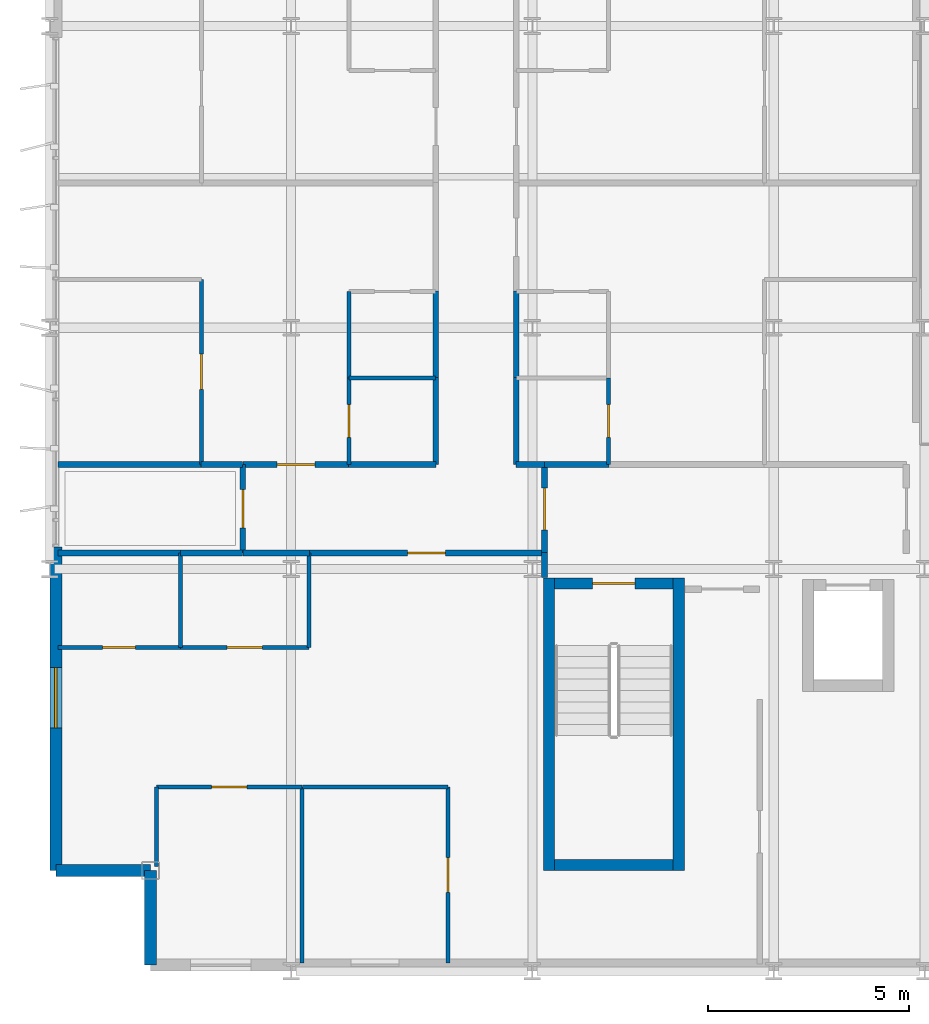
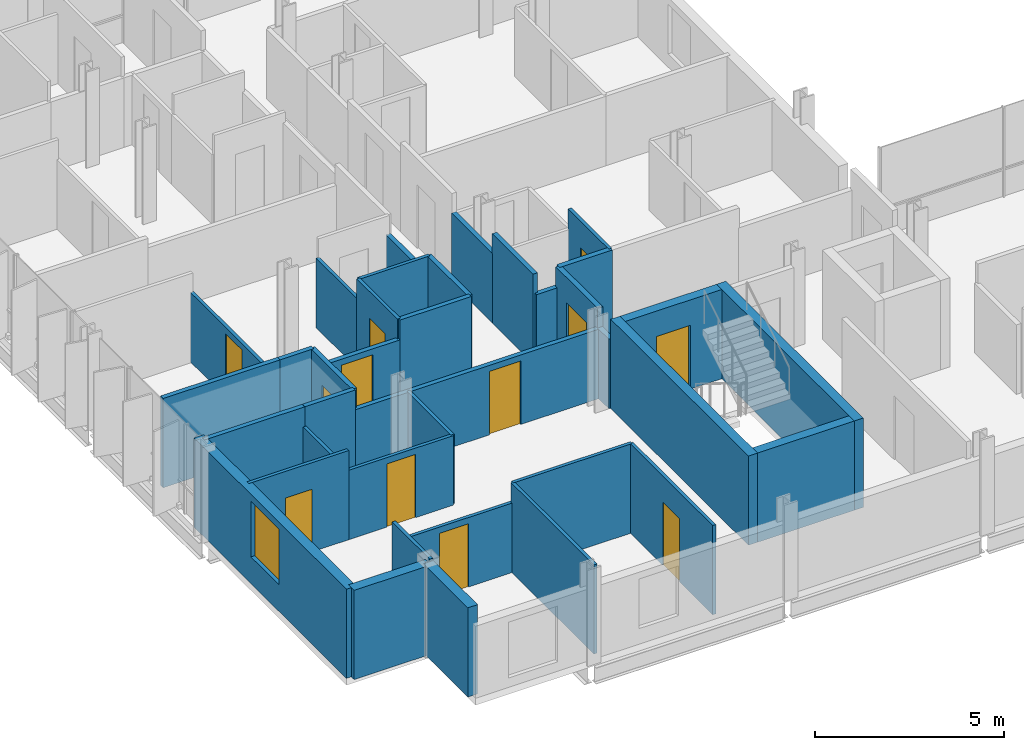
# One storey, part 27 of 39: 38 walls, 12 doors, 1 window, 13 openings.
"""IFC4 building model written with IfcOpenShell, lengths in metres."""

from ifc_helpers import new_model, si_unit, direction, frame, frame_2d, origin, place, context, subcontext, project, spatial, rectangle, extrude, material, layer, layer_set, type_object, element, fill, save


model = new_model("IFC4")

# Units and contexts
model_context = context("Model", 3, precision=1e-05, world=origin(), true_north=direction((0.0, 1.0)))
body_context = subcontext(model_context, "Body", "Model", "MODEL_VIEW")
ifc_project = project(units=[si_unit("LENGTHUNIT", "METRE"), si_unit("AREAUNIT", "SQUARE_METRE"), si_unit("VOLUMEUNIT", "CUBIC_METRE"), si_unit("PLANEANGLEUNIT", "RADIAN"), si_unit("MASSUNIT", "GRAM", prefix="KILO")], contexts=[model_context])

# Site, building, storey
site_placement = place(None, origin())
site = spatial("IfcSite", under=ifc_project, at=site_placement, CompositionType="ELEMENT")
building_placement = place(site_placement, origin())
building = spatial("IfcBuilding", under=site, at=building_placement, Name="Brevholm Reach", CompositionType="ELEMENT")
storey_placement = place(building_placement, frame((0.0, 0.0, 115.89990234375)))
storey = spatial("IfcBuildingStorey", under=building, at=storey_placement, Name="L34", CompositionType="ELEMENT", Elevation=115.89990234375)

# Walls
ifc_material_1 = material(Name="Concrete C50/60", Category="concrete")
ifc_layer_1 = layer(ifc_material_1, 0.280029296875)
ifc_layer_set_1 = layer_set([ifc_layer_1], Name="Concrete C50/60")
wall_type_1 = type_object("IfcWallType", Name="WAL-COR-280", PredefinedType="SHEAR", material=ifc_layer_set_1)
for number, where, z_axis, x_axis, name in (
    (1, (12.409912109375, 2.5, 0.0), (0.0, 0.0, 1.0), (0.0, 1.0, 0.0), "L34 Escape Stair ST-1 Core Wall W"),
    (2, (15.639892578125, 2.5, 0.0), (0.0, 0.0, 1.0), (0.0, 1.0, 0.0), "L34 Escape Stair ST-1 Core Wall E"),
):
    element("IfcWall", number, at=place(storey_placement, frame(where, z_axis=z_axis, x_axis=x_axis)), inside=storey, type_object=wall_type_1, Name=name, PredefinedType="SHEAR", context=body_context, shape_type="SweptSolid", body=[
        extrude(rectangle(XDim=7.280029296875, YDim=0.280029296875, at=frame_2d((3.64013671875, 0.0))), origin(), (0.0, 0.0, 1.0), 2.880126953125),
    ])
wall_1_placement = place(storey_placement, frame((12.550048828125, 2.639892578125, 0.0), z_axis=(0.0, 0.0, 1.0), x_axis=(1.0, 0.0, 0.0)))
element("IfcWall", 3, at=wall_1_placement, inside=storey, type_object=wall_type_1, Name="L34 Escape Stair ST-1 Core Wall S", PredefinedType="SHEAR", context=body_context, shape_type="SweptSolid", body=[
    extrude(rectangle(XDim=2.949951171875, YDim=0.280029296875, at=frame_2d((1.47509765625, 0.0))), origin(), (0.0, 0.0, 1.0), 2.880126953125),
])

# Wall, opening, door
wall_2_placement = place(storey_placement, frame((15.5, 9.639892578125, 0.0), z_axis=(0.0, 0.0, 1.0), x_axis=(-1.0, 0.0, 0.0)))
wall_2 = element("IfcWall", 4, at=wall_2_placement, inside=storey, type_object=wall_type_1, Name="L34 Escape Stair ST-1 Core Wall N", PredefinedType="SHEAR", context=body_context, shape_type="SweptSolid", body=[
    extrude(rectangle(XDim=2.949951171875, YDim=0.280029296875, at=frame_2d((1.47509765625, 0.0))), origin(), (0.0, 0.0, 1.0), 2.880126953125),
])
opening_1_placement = place(wall_2_placement, frame((0.949951171875, 0.0, 0.0)))
opening_1 = element("IfcOpeningElement", 5, at=opening_1_placement, cuts=wall_2, Name="Opening SD-ST-1", PredefinedType="OPENING", context=body_context, shape_type="SweptSolid", body=[
    extrude(rectangle(XDim=1.050048828125, YDim=2.06005859375, at=frame_2d((0.52490234375, 1.030029296875))), frame((0.0, 0.14990234375, 0.0), z_axis=(0.0, -1.0, 0.0), x_axis=(1.0, 0.0, 0.0)), (0.0, 0.0, 1.0), 0.300048828125),
])
ifc_material_2 = material(Name="Hardwood-Lipped Steel-Core Fire and Smoke Door", Category="steel")
door_type_1 = type_object("IfcDoorType", Name="DOR-INT-FD60S", OperationType="NOTDEFINED", PredefinedType="DOOR", material=ifc_material_2)
door_1_placement = place(opening_1_placement, origin())
door_1 = element("IfcDoor", 6, at=door_1_placement, inside=storey, type_object=door_type_1, Name="L34 Protected Stair ST-1 Lobby Door", OperationType="SINGLE_SWING_RIGHT", OverallHeight=2.06005859375, OverallWidth=1.050048828125, PredefinedType="DOOR", context=body_context, shape_type="SweptSolid", body=[
    extrude(rectangle(XDim=1.050048828125, YDim=2.06005859375, at=frame_2d((0.52490234375, 1.030029296875))), frame((0.0, 0.02490234375, 0.0), z_axis=(0.0, -1.0, 0.0), x_axis=(1.0, 0.0, 0.0)), (0.0, 0.0, 1.0), 0.050048828125),
])
fill(opening_1, door_1)

# Walls
ifc_material_3 = material(Name="Concrete C40/50", Category="concrete")
ifc_layer_2 = layer(ifc_material_3, 0.300048828125)
ifc_layer_set_2 = layer_set([ifc_layer_2], Name="Concrete C40/50")
wall_type_2 = type_object("IfcWallType", Name="WAL-EXT-300", PredefinedType="STANDARD", material=ifc_layer_set_2)
for number, where, z_axis, x_axis, name in (
    (7, (2.5, 2.5, 0.0), (0.0, 0.0, 1.0), (0.0, -1.0, 0.0), "L34 Facade Wall WAL-L34-CSW1"),
    (8, (0.14990234375, 2.5, 0.0), (0.0, 0.0, 1.0), (1.0, 0.0, 0.0), "L34 Facade Wall WAL-L34-CSW2"),
):
    element("IfcWall", number, at=place(storey_placement, frame(where, z_axis=z_axis, x_axis=x_axis)), inside=storey, type_object=wall_type_2, Name=name, PredefinedType="STANDARD", context=body_context, shape_type="SweptSolid", body=[
        extrude(rectangle(XDim=2.35009765625, YDim=0.300048828125, at=frame_2d((1.175048828125, 0.0))), origin(), (0.0, 0.0, 1.0), 2.880126953125),
    ])

# Wall, opening, window
wall_3_placement = place(storey_placement, frame((0.14990234375, 10.550048828125, 0.0), z_axis=(0.0, 0.0, 1.0), x_axis=(0.0, -1.0, 0.0)))
wall_3 = element("IfcWall", 9, at=wall_3_placement, inside=storey, type_object=wall_type_2, Name="L34 Facade Wall WAL-L34-W-S", PredefinedType="STANDARD", context=body_context, shape_type="SweptSolid", body=[
    extrude(rectangle(XDim=8.050048828125, YDim=0.300048828125, at=frame_2d((4.02490234375, 0.0))), origin(), (0.0, 0.0, 1.0), 2.880126953125),
])
opening_2_placement = place(wall_3_placement, frame((3.0, 0.0, 0.860107421875)))
opening_2 = element("IfcOpeningElement", 10, at=opening_2_placement, cuts=wall_3, Name="Opening WN-05", PredefinedType="OPENING", context=body_context, shape_type="SweptSolid", body=[
    extrude(rectangle(XDim=1.5, YDim=1.800048828125, at=frame_2d((0.75, 0.89990234375))), frame((0.0, 0.159912109375, 0.0), z_axis=(0.0, -1.0, 0.0), x_axis=(1.0, 0.0, 0.0)), (0.0, 0.0, 1.0), 0.320068359375),
])
ifc_material_4 = material(Name="Dark Anodised Aluminium and Solar-Control IGU Glass", Category="aluminium")
window_type = type_object("IfcWindowType", Name="WIN-RES-1500", PartitioningType="SINGLE_PANEL", PredefinedType="WINDOW", material=ifc_material_4)
window_placement = place(opening_2_placement, origin())
window = element("IfcWindow", 11, at=window_placement, inside=storey, type_object=window_type, Name="L34 Window WIN-L34-WS-1", OverallHeight=1.800048828125, OverallWidth=1.5, PartitioningType="SINGLE_PANEL", PredefinedType="WINDOW", context=body_context, shape_type="SweptSolid", body=[
    extrude(rectangle(XDim=1.5, YDim=1.800048828125, at=frame_2d((0.75, 0.89990234375))), frame((0.0, 0.030029296875, 0.0), z_axis=(0.0, -1.0, 0.0), x_axis=(1.0, 0.0, 0.0)), (0.0, 0.0, 1.0), 0.06005859375),
])
fill(opening_2, window)

# Wall
ifc_material_5 = material(Name="Moisture-Resistant Acoustic Gypsum Stud Partition 100 mm", Category="gypsum")
ifc_layer_3 = layer(ifc_material_5, 0.10009765625)
ifc_layer_set_3 = layer_set([ifc_layer_3], Name="Moisture-Resistant Acoustic Gypsum Stud Partition 100 mm")
wall_type_3 = type_object("IfcWallType", Name="WAL-PRT-100", PredefinedType="PARTITIONING", material=ifc_layer_set_3)
wall_4_placement = place(storey_placement, frame((3.25, 8.053955078125, 0.0), z_axis=(0.0, 0.0, 1.0), x_axis=(0.0, 1.0, 0.0)))
element("IfcWall", 12, at=wall_4_placement, inside=storey, type_object=wall_type_3, Name="L34 Internal Partition 062", PredefinedType="PARTITIONING", context=body_context, shape_type="SweptSolid", body=[
    extrude(rectangle(XDim=2.345947265625, YDim=0.10009765625, at=frame_2d((1.1728515625, 0.0))), origin(), (0.0, 0.0, 1.0), 2.242919921875),
])

# Wall, opening, door
wall_5_placement = place(storey_placement, frame((0.199951171875, 8.053955078125, 0.0), z_axis=(0.0, 0.0, 1.0), x_axis=(1.0, 0.0, 0.0)))
wall_5 = element("IfcWall", 13, at=wall_5_placement, inside=storey, type_object=wall_type_3, Name="L34 Internal Partition 063", PredefinedType="PARTITIONING", context=body_context, shape_type="SweptSolid", body=[
    extrude(rectangle(XDim=3.050048828125, YDim=0.10009765625, at=frame_2d((1.52490234375, 0.0))), origin(), (0.0, 0.0, 1.0), 2.880126953125),
])
opening_3_placement = place(wall_5_placement, frame((1.114990234375, 0.0, 0.0)))
opening_3 = element("IfcOpeningElement", 14, at=opening_3_placement, cuts=wall_5, Name="Opening ID-03", PredefinedType="OPENING", context=body_context, shape_type="SweptSolid", body=[
    extrude(rectangle(XDim=0.820068359375, YDim=2.02001953125, at=frame_2d((0.41015625, 1.010009765625))), frame((0.0, 0.06005859375, 0.0), z_axis=(0.0, -1.0, 0.0), x_axis=(1.0, 0.0, 0.0)), (0.0, 0.0, 1.0), 0.1201171875),
])
ifc_material_6 = material(Name="Moisture-Resistant Painted Timber Internal Bathroom Door", Category="wood")
door_type_2 = type_object("IfcDoorType", Name="DOR-BATH-820", OperationType="NOTDEFINED", PredefinedType="DOOR", material=ifc_material_6)
door_2_placement = place(opening_3_placement, origin())
door_2 = element("IfcDoor", 15, at=door_2_placement, inside=storey, type_object=door_type_2, Name="L34 Internal Door 024", OperationType="SINGLE_SWING_RIGHT", OverallHeight=2.02001953125, OverallWidth=0.820068359375, PredefinedType="DOOR", context=body_context, shape_type="SweptSolid", body=[
    extrude(rectangle(XDim=0.820068359375, YDim=2.02001953125, at=frame_2d((0.41015625, 1.010009765625))), frame((0.0, 0.02490234375, 0.0), z_axis=(0.0, -1.0, 0.0), x_axis=(1.0, 0.0, 0.0)), (0.0, 0.0, 1.0), 0.050048828125),
])
fill(opening_3, door_2)

wall_6_placement = place(storey_placement, frame((3.25390625, 8.053955078125, 0.0), z_axis=(0.0, 0.0, 1.0), x_axis=(1.0, 0.0, 0.0)))
wall_6 = element("IfcWall", 16, at=wall_6_placement, inside=storey, type_object=wall_type_3, Name="L34 Internal Partition 065", PredefinedType="PARTITIONING", context=body_context, shape_type="SweptSolid", body=[
    extrude(rectangle(XDim=3.196044921875, YDim=0.10009765625, at=frame_2d((1.59814453125, 0.0))), origin(), (0.0, 0.0, 1.0), 2.242919921875),
])
opening_4_placement = place(wall_6_placement, frame((1.157958984375, 0.0, 0.0)))
opening_4 = element("IfcOpeningElement", 17, at=opening_4_placement, cuts=wall_6, Name="Opening ID-01", PredefinedType="OPENING", context=body_context, shape_type="SweptSolid", body=[
    extrude(rectangle(XDim=0.8798828125, YDim=2.0400390625, at=frame_2d((0.43994140625, 1.02001953125))), frame((0.0, 0.06005859375, 0.0), z_axis=(0.0, -1.0, 0.0), x_axis=(1.0, 0.0, 0.0)), (0.0, 0.0, 1.0), 0.1201171875),
])
ifc_material_7 = material(Name="Lacquered Ash Solid-Core Acoustic Internal Door", Category="timber")
door_type_3 = type_object("IfcDoorType", Name="DOR-INT-880", OperationType="NOTDEFINED", PredefinedType="DOOR", material=ifc_material_7)
door_3_placement = place(opening_4_placement, origin())
door_3 = element("IfcDoor", 18, at=door_3_placement, inside=storey, type_object=door_type_3, Name="L34 Internal Door 025", OperationType="SINGLE_SWING_LEFT", OverallHeight=2.0400390625, OverallWidth=0.8798828125, PredefinedType="DOOR", context=body_context, shape_type="SweptSolid", body=[
    extrude(rectangle(XDim=0.8798828125, YDim=2.0400390625, at=frame_2d((0.43994140625, 1.02001953125))), frame((0.0, 0.02490234375, 0.0), z_axis=(0.0, -1.0, 0.0), x_axis=(1.0, 0.0, 0.0)), (0.0, 0.0, 1.0), 0.050048828125),
])
fill(opening_4, door_3)

# Walls
wall_7_placement = place(storey_placement, frame((6.449951171875, 8.053955078125, 0.0), z_axis=(0.0, 0.0, 1.0), x_axis=(0.0, 1.0, 0.0)))
element("IfcWall", 19, at=wall_7_placement, inside=storey, type_object=wall_type_3, Name="L34 Internal Partition 066", PredefinedType="PARTITIONING", context=body_context, shape_type="SweptSolid", body=[
    extrude(rectangle(XDim=2.342041015625, YDim=0.10009765625, at=frame_2d((1.1708984375, 0.0))), origin(), (0.0, 0.0, 1.0), 2.242919921875),
])
wall_8_placement = place(storey_placement, frame((6.27490234375, 0.199951171875, 0.0), z_axis=(0.0, 0.0, 1.0), x_axis=(0.0, 1.0, 0.0)))
element("IfcWall", 20, at=wall_8_placement, inside=storey, type_object=wall_type_3, Name="L34 Internal Partition 068", PredefinedType="PARTITIONING", context=body_context, shape_type="SweptSolid", body=[
    extrude(rectangle(XDim=4.385986328125, YDim=0.10009765625, at=frame_2d((2.19287109375, 0.0))), origin(), (0.0, 0.0, 1.0), 2.880126953125),
])
wall_9_placement = place(storey_placement, frame((2.64990234375, 2.599365234375, 0.0), z_axis=(0.0, 0.0, 1.0), x_axis=(0.0, 1.0, 0.0)))
element("IfcWall", 21, at=wall_9_placement, inside=storey, type_object=wall_type_3, Name="L34 Internal Partition 069", PredefinedType="PARTITIONING", context=body_context, shape_type="SweptSolid", body=[
    extrude(rectangle(XDim=1.986572265625, YDim=0.10009765625, at=frame_2d((0.9931640625, 0.0))), origin(), (0.0, 0.0, 1.0), 2.880126953125),
])

# Wall, opening, door
wall_10_placement = place(storey_placement, frame((2.64990234375, 4.5859375, 0.0), z_axis=(0.0, 0.0, 1.0), x_axis=(1.0, 0.0, 0.0)))
wall_10 = element("IfcWall", 22, at=wall_10_placement, inside=storey, type_object=wall_type_3, Name="L34 Internal Partition 070", PredefinedType="PARTITIONING", context=body_context, shape_type="SweptSolid", body=[
    extrude(rectangle(XDim=3.625, YDim=0.10009765625, at=frame_2d((1.8125, 0.0))), origin(), (0.0, 0.0, 1.0), 2.242919921875),
])
opening_5_placement = place(wall_10_placement, frame((1.37255859375, 0.0, 0.0)))
opening_5 = element("IfcOpeningElement", 23, at=opening_5_placement, cuts=wall_10, Name="Opening ID-01", PredefinedType="OPENING", context=body_context, shape_type="SweptSolid", body=[
    extrude(rectangle(XDim=0.8798828125, YDim=2.0400390625, at=frame_2d((0.43994140625, 1.02001953125))), frame((0.0, 0.06005859375, 0.0), z_axis=(0.0, -1.0, 0.0), x_axis=(1.0, 0.0, 0.0)), (0.0, 0.0, 1.0), 0.1201171875),
])
door_4_placement = place(opening_5_placement, origin())
door_4 = element("IfcDoor", 24, at=door_4_placement, inside=storey, type_object=door_type_3, Name="L34 Internal Door 026", OperationType="SINGLE_SWING_RIGHT", OverallHeight=2.0400390625, OverallWidth=0.8798828125, PredefinedType="DOOR", context=body_context, shape_type="SweptSolid", body=[
    extrude(rectangle(XDim=0.8798828125, YDim=2.0400390625, at=frame_2d((0.43994140625, 1.02001953125))), frame((0.0, 0.02490234375, 0.0), z_axis=(0.0, -1.0, 0.0), x_axis=(1.0, 0.0, 0.0)), (0.0, 0.0, 1.0), 0.050048828125),
])
fill(opening_5, door_4)

wall_11_placement = place(storey_placement, frame((9.89990234375, 0.199951171875, 0.0), z_axis=(0.0, 0.0, 1.0), x_axis=(0.0, 1.0, 0.0)))
wall_11 = element("IfcWall", 25, at=wall_11_placement, inside=storey, type_object=wall_type_3, Name="L34 Internal Partition 071", PredefinedType="PARTITIONING", context=body_context, shape_type="SweptSolid", body=[
    extrude(rectangle(XDim=4.385986328125, YDim=0.10009765625, at=frame_2d((2.19287109375, 0.0))), origin(), (0.0, 0.0, 1.0), 2.880126953125),
])
opening_6_placement = place(wall_11_placement, frame((1.7529296875, 0.0, 0.0)))
opening_6 = element("IfcOpeningElement", 26, at=opening_6_placement, cuts=wall_11, Name="Opening ID-01", PredefinedType="OPENING", context=body_context, shape_type="SweptSolid", body=[
    extrude(rectangle(XDim=0.8798828125, YDim=2.0400390625, at=frame_2d((0.43994140625, 1.02001953125))), frame((0.0, 0.06005859375, 0.0), z_axis=(0.0, -1.0, 0.0), x_axis=(1.0, 0.0, 0.0)), (0.0, 0.0, 1.0), 0.1201171875),
])
door_5_placement = place(opening_6_placement, origin())
door_5 = element("IfcDoor", 27, at=door_5_placement, inside=storey, type_object=door_type_3, Name="L34 Internal Door 027", OperationType="SINGLE_SWING_LEFT", OverallHeight=2.0400390625, OverallWidth=0.8798828125, PredefinedType="DOOR", context=body_context, shape_type="SweptSolid", body=[
    extrude(rectangle(XDim=0.8798828125, YDim=2.0400390625, at=frame_2d((0.43994140625, 1.02001953125))), frame((0.0, 0.02490234375, 0.0), z_axis=(0.0, -1.0, 0.0), x_axis=(1.0, 0.0, 0.0)), (0.0, 0.0, 1.0), 0.050048828125),
])
fill(opening_6, door_5)

# Walls
wall_12_placement = place(storey_placement, frame((6.279052734375, 4.5859375, 0.0), z_axis=(0.0, 0.0, 1.0), x_axis=(1.0, 0.0, 0.0)))
element("IfcWall", 28, at=wall_12_placement, inside=storey, type_object=wall_type_3, Name="L34 Internal Partition 072", PredefinedType="PARTITIONING", context=body_context, shape_type="SweptSolid", body=[
    extrude(rectangle(XDim=3.620849609375, YDim=0.10009765625, at=frame_2d((1.810546875, 0.0))), origin(), (0.0, 0.0, 1.0), 2.880126953125),
])
wall_13_placement = place(storey_placement, frame((7.43798828125, 14.75, 0.0), z_axis=(0.0, 0.0, 1.0), x_axis=(1.0, 0.0, 0.0)))
element("IfcWall", 29, at=wall_13_placement, inside=storey, type_object=wall_type_3, Name="L34 Internal Partition 087", PredefinedType="PARTITIONING", context=body_context, shape_type="SweptSolid", body=[
    extrude(rectangle(XDim=2.157958984375, YDim=0.10009765625, at=frame_2d((1.0791015625, 0.0))), origin(), (0.0, 0.0, 1.0), 2.880126953125),
])

# Wall, opening, door
wall_14_placement = place(storey_placement, frame((7.43798828125, 12.60400390625, 0.0), z_axis=(0.0, 0.0, 1.0), x_axis=(0.0, 1.0, 0.0)))
wall_14 = element("IfcWall", 30, at=wall_14_placement, inside=storey, type_object=wall_type_3, Name="L34 Internal Partition 088", PredefinedType="PARTITIONING", context=body_context, shape_type="SweptSolid", body=[
    extrude(rectangle(XDim=2.14599609375, YDim=0.10009765625, at=frame_2d((1.072998046875, 0.0))), origin(), (0.0, 0.0, 1.0), 2.880126953125),
])
opening_7_placement = place(wall_14_placement, frame((0.6630859375, 0.0, 0.0)))
opening_7 = element("IfcOpeningElement", 31, at=opening_7_placement, cuts=wall_14, Name="Opening ID-03", PredefinedType="OPENING", context=body_context, shape_type="SweptSolid", body=[
    extrude(rectangle(XDim=0.820068359375, YDim=2.02001953125, at=frame_2d((0.41015625, 1.010009765625))), frame((0.0, 0.06005859375, 0.0), z_axis=(0.0, -1.0, 0.0), x_axis=(1.0, 0.0, 0.0)), (0.0, 0.0, 1.0), 0.1201171875),
])
door_6_placement = place(opening_7_placement, origin())
door_6 = element("IfcDoor", 32, at=door_6_placement, inside=storey, type_object=door_type_2, Name="L34 Internal Door 032", OperationType="SINGLE_SWING_RIGHT", OverallHeight=2.02001953125, OverallWidth=0.820068359375, PredefinedType="DOOR", context=body_context, shape_type="SweptSolid", body=[
    extrude(rectangle(XDim=0.820068359375, YDim=2.02001953125, at=frame_2d((0.41015625, 1.010009765625))), frame((0.0, 0.02490234375, 0.0), z_axis=(0.0, -1.0, 0.0), x_axis=(1.0, 0.0, 0.0)), (0.0, 0.0, 1.0), 0.050048828125),
])
fill(opening_7, door_6)

# Wall
wall_15_placement = place(storey_placement, frame((7.43798828125, 14.75390625, 0.0), z_axis=(0.0, 0.0, 1.0), x_axis=(0.0, 1.0, 0.0)))
element("IfcWall", 33, at=wall_15_placement, inside=storey, type_object=wall_type_3, Name="L34 Internal Partition 090", PredefinedType="PARTITIONING", context=body_context, shape_type="SweptSolid", body=[
    extrude(rectangle(XDim=2.14599609375, YDim=0.10009765625, at=frame_2d((1.072998046875, 0.0))), origin(), (0.0, 0.0, 1.0), 2.242919921875),
])

# Wall, opening, door
wall_16_placement = place(storey_placement, frame((3.77197265625, 12.60400390625, 0.0), z_axis=(0.0, 0.0, 1.0), x_axis=(0.0, 1.0, 0.0)))
wall_16 = element("IfcWall", 34, at=wall_16_placement, inside=storey, type_object=wall_type_3, Name="L34 Internal Partition 091", PredefinedType="PARTITIONING", context=body_context, shape_type="SweptSolid", body=[
    extrude(rectangle(XDim=4.595947265625, YDim=0.10009765625, at=frame_2d((2.2978515625, 0.0))), origin(), (0.0, 0.0, 1.0), 2.242919921875),
])
opening_8_placement = place(wall_16_placement, frame((1.85791015625, 0.0, 0.0)))
opening_8 = element("IfcOpeningElement", 35, at=opening_8_placement, cuts=wall_16, Name="Opening ID-01", PredefinedType="OPENING", context=body_context, shape_type="SweptSolid", body=[
    extrude(rectangle(XDim=0.8798828125, YDim=2.0400390625, at=frame_2d((0.43994140625, 1.02001953125))), frame((0.0, 0.06005859375, 0.0), z_axis=(0.0, -1.0, 0.0), x_axis=(1.0, 0.0, 0.0)), (0.0, 0.0, 1.0), 0.1201171875),
])
door_7_placement = place(opening_8_placement, origin())
door_7 = element("IfcDoor", 36, at=door_7_placement, inside=storey, type_object=door_type_3, Name="L34 Internal Door 034", OperationType="SINGLE_SWING_RIGHT", OverallHeight=2.0400390625, OverallWidth=0.8798828125, PredefinedType="DOOR", context=body_context, shape_type="SweptSolid", body=[
    extrude(rectangle(XDim=0.8798828125, YDim=2.0400390625, at=frame_2d((0.43994140625, 1.02001953125))), frame((0.0, 0.02490234375, 0.0), z_axis=(0.0, -1.0, 0.0), x_axis=(1.0, 0.0, 0.0)), (0.0, 0.0, 1.0), 0.050048828125),
])
fill(opening_8, door_7)

wall_17_placement = place(storey_placement, frame((13.888916015625, 12.60400390625, 0.0), z_axis=(0.0, 0.0, 1.0), x_axis=(0.0, 1.0, 0.0)))
wall_17 = element("IfcWall", 37, at=wall_17_placement, inside=storey, type_object=wall_type_3, Name="L34 Internal Partition 107", PredefinedType="PARTITIONING", context=body_context, shape_type="SweptSolid", body=[
    extrude(rectangle(XDim=2.14599609375, YDim=0.10009765625, at=frame_2d((1.072998046875, 0.0))), origin(), (0.0, 0.0, 1.0), 2.880126953125),
])
opening_9_placement = place(wall_17_placement, frame((0.6630859375, 0.0, 0.0)))
opening_9 = element("IfcOpeningElement", 38, at=opening_9_placement, cuts=wall_17, Name="Opening ID-03", PredefinedType="OPENING", context=body_context, shape_type="SweptSolid", body=[
    extrude(rectangle(XDim=0.820068359375, YDim=2.02001953125, at=frame_2d((0.41015625, 1.010009765625))), frame((0.0, 0.06005859375, 0.0), z_axis=(0.0, -1.0, 0.0), x_axis=(1.0, 0.0, 0.0)), (0.0, 0.0, 1.0), 0.1201171875),
])
door_8_placement = place(opening_9_placement, origin())
door_8 = element("IfcDoor", 39, at=door_8_placement, inside=storey, type_object=door_type_2, Name="L34 Internal Door 038", OperationType="SINGLE_SWING_RIGHT", OverallHeight=2.02001953125, OverallWidth=0.820068359375, PredefinedType="DOOR", context=body_context, shape_type="SweptSolid", body=[
    extrude(rectangle(XDim=0.820068359375, YDim=2.02001953125, at=frame_2d((0.41015625, 1.010009765625))), frame((0.0, 0.02490234375, 0.0), z_axis=(0.0, -1.0, 0.0), x_axis=(1.0, 0.0, 0.0)), (0.0, 0.0, 1.0), 0.050048828125),
])
fill(opening_9, door_8)

# Wall
ifc_material_8 = material(Name="Twin-Stud Acoustic Fire-Rated Gypsum Partition 140 mm", Category="gypsum")
ifc_layer_4 = layer(ifc_material_8, 0.139892578125)
ifc_layer_set_4 = layer_set([ifc_layer_4], Name="Twin-Stud Acoustic Fire-Rated Gypsum Partition 140 mm")
wall_type_4 = type_object("IfcWallType", Name="WAL-PRT-140", PredefinedType="PARTITIONING", material=ifc_layer_set_4)
wall_18_placement = place(storey_placement, frame((4.800048828125, 10.39990234375, 0.0), z_axis=(0.0, 0.0, 1.0), x_axis=(1.0, 0.0, 0.0)))
element("IfcWall", 40, at=wall_18_placement, inside=storey, type_object=wall_type_4, Name="L34 Internal Partition 024", PredefinedType="PARTITIONING", context=body_context, shape_type="SweptSolid", body=[
    extrude(rectangle(XDim=1.6611328125, YDim=0.139892578125, at=frame_2d((0.83056640625, 0.0))), origin(), (0.0, 0.0, 1.0), 2.242919921875),
])

# Wall, opening, door
wall_19_placement = place(storey_placement, frame((6.442626953125, 10.39990234375, 0.0), z_axis=(0.0, 0.0, 1.0), x_axis=(1.0, 0.0, 0.0)))
wall_19 = element("IfcWall", 41, at=wall_19_placement, inside=storey, type_object=wall_type_4, Name="L34 Internal Partition 025", PredefinedType="PARTITIONING", context=body_context, shape_type="SweptSolid", body=[
    extrude(rectangle(XDim=5.853271484375, YDim=0.139892578125, at=frame_2d((2.9267578125, 0.0))), origin(), (0.0, 0.0, 1.0), 2.242919921875),
])
opening_10_placement = place(wall_19_placement, frame((2.45166015625, 0.0, 0.0)))
opening_10 = element("IfcOpeningElement", 42, at=opening_10_placement, cuts=wall_19, Name="Opening ID-30", PredefinedType="OPENING", context=body_context, shape_type="SweptSolid", body=[
    extrude(rectangle(XDim=0.949951171875, YDim=2.050048828125, at=frame_2d((0.47509765625, 1.02490234375))), frame((0.0, 0.079833984375, 0.0), z_axis=(0.0, -1.0, 0.0), x_axis=(1.0, 0.0, 0.0)), (0.0, 0.0, 1.0), 0.159912109375),
])
ifc_material_9 = material(Name="European Oak Veneered Solid-Core Fire Entrance Door", Category="timber")
door_type_4 = type_object("IfcDoorType", Name="DOR-FLT-FD30S", OperationType="NOTDEFINED", PredefinedType="DOOR", material=ifc_material_9)
door_9_placement = place(opening_10_placement, origin())
door_9 = element("IfcDoor", 43, at=door_9_placement, inside=storey, type_object=door_type_4, Name="L34 Internal Door 013", OperationType="SINGLE_SWING_LEFT", OverallHeight=2.050048828125, OverallWidth=0.949951171875, PredefinedType="DOOR", context=body_context, shape_type="SweptSolid", body=[
    extrude(rectangle(XDim=0.949951171875, YDim=2.050048828125, at=frame_2d((0.47509765625, 1.02490234375))), frame((0.0, 0.02490234375, 0.0), z_axis=(0.0, -1.0, 0.0), x_axis=(1.0, 0.0, 0.0)), (0.0, 0.0, 1.0), 0.050048828125),
])
fill(opening_10, door_9)

wall_20_placement = place(storey_placement, frame((4.800048828125, 10.39990234375, 0.0), z_axis=(0.0, 0.0, 1.0), x_axis=(0.0, 1.0, 0.0)))
wall_20 = element("IfcWall", 44, at=wall_20_placement, inside=storey, type_object=wall_type_4, Name="L34 Internal Partition 026", PredefinedType="PARTITIONING", context=body_context, shape_type="SweptSolid", body=[
    extrude(rectangle(XDim=2.2001953125, YDim=0.139892578125, at=frame_2d((1.10009765625, 0.0))), origin(), (0.0, 0.0, 1.0), 2.880126953125),
])
opening_11_placement = place(wall_20_placement, frame((0.625, 0.0, 0.0)))
opening_11 = element("IfcOpeningElement", 45, at=opening_11_placement, cuts=wall_20, Name="Opening ID-30", PredefinedType="OPENING", context=body_context, shape_type="SweptSolid", body=[
    extrude(rectangle(XDim=0.949951171875, YDim=2.050048828125, at=frame_2d((0.47509765625, 1.02490234375))), frame((0.0, 0.079833984375, 0.0), z_axis=(0.0, -1.0, 0.0), x_axis=(1.0, 0.0, 0.0)), (0.0, 0.0, 1.0), 0.159912109375),
])
door_10_placement = place(opening_11_placement, origin())
door_10 = element("IfcDoor", 46, at=door_10_placement, inside=storey, type_object=door_type_4, Name="L34 Internal Door 014", OperationType="SINGLE_SWING_RIGHT", OverallHeight=2.050048828125, OverallWidth=0.949951171875, PredefinedType="DOOR", context=body_context, shape_type="SweptSolid", body=[
    extrude(rectangle(XDim=0.949951171875, YDim=2.050048828125, at=frame_2d((0.47509765625, 1.02490234375))), frame((0.0, 0.02490234375, 0.0), z_axis=(0.0, -1.0, 0.0), x_axis=(1.0, 0.0, 0.0)), (0.0, 0.0, 1.0), 0.050048828125),
])
fill(opening_11, door_10)

# Wall
wall_21_placement = place(storey_placement, frame((7.4267578125, 12.60009765625, 0.0), z_axis=(0.0, 0.0, 1.0), x_axis=(1.0, 0.0, 0.0)))
element("IfcWall", 47, at=wall_21_placement, inside=storey, type_object=wall_type_4, Name="L34 Internal Partition 027", PredefinedType="PARTITIONING", context=body_context, shape_type="SweptSolid", body=[
    extrude(rectangle(XDim=2.1806640625, YDim=0.139892578125, at=frame_2d((1.09033203125, 0.0))), origin(), (0.0, 0.0, 1.0), 2.880126953125),
])

# Wall, opening, door
wall_22_placement = place(storey_placement, frame((4.800048828125, 12.60009765625, 0.0), z_axis=(0.0, 0.0, 1.0), x_axis=(1.0, 0.0, 0.0)))
wall_22 = element("IfcWall", 48, at=wall_22_placement, inside=storey, type_object=wall_type_4, Name="L34 Internal Partition 028", PredefinedType="PARTITIONING", context=body_context, shape_type="SweptSolid", body=[
    extrude(rectangle(XDim=2.645263671875, YDim=0.139892578125, at=frame_2d((1.32275390625, 0.0))), origin(), (0.0, 0.0, 1.0), 2.242919921875),
])
opening_12_placement = place(wall_22_placement, frame((0.84765625, 0.0, 0.0)))
opening_12 = element("IfcOpeningElement", 49, at=opening_12_placement, cuts=wall_22, Name="Opening ID-30", PredefinedType="OPENING", context=body_context, shape_type="SweptSolid", body=[
    extrude(rectangle(XDim=0.949951171875, YDim=2.050048828125, at=frame_2d((0.47509765625, 1.02490234375))), frame((0.0, 0.079833984375, 0.0), z_axis=(0.0, -1.0, 0.0), x_axis=(1.0, 0.0, 0.0)), (0.0, 0.0, 1.0), 0.159912109375),
])
door_11_placement = place(opening_12_placement, origin())
door_11 = element("IfcDoor", 50, at=door_11_placement, inside=storey, type_object=door_type_4, Name="L34 Internal Door 015", OperationType="SINGLE_SWING_LEFT", OverallHeight=2.050048828125, OverallWidth=0.949951171875, PredefinedType="DOOR", context=body_context, shape_type="SweptSolid", body=[
    extrude(rectangle(XDim=0.949951171875, YDim=2.050048828125, at=frame_2d((0.47509765625, 1.02490234375))), frame((0.0, 0.02490234375, 0.0), z_axis=(0.0, -1.0, 0.0), x_axis=(1.0, 0.0, 0.0)), (0.0, 0.0, 1.0), 0.050048828125),
])
fill(opening_12, door_11)

# Walls
wall_23_placement = place(storey_placement, frame((11.5927734375, 12.60009765625, 0.0), z_axis=(0.0, 0.0, 1.0), x_axis=(1.0, 0.0, 0.0)))
element("IfcWall", 51, at=wall_23_placement, inside=storey, type_object=wall_type_4, Name="L34 Internal Partition 029", PredefinedType="PARTITIONING", context=body_context, shape_type="SweptSolid", body=[
    extrude(rectangle(XDim=0.703125, YDim=0.139892578125, at=frame_2d((0.3515625, 0.0))), origin(), (0.0, 0.0, 1.0), 2.242919921875),
])
wall_24_placement = place(storey_placement, frame((9.60009765625, 12.60400390625, 0.0), z_axis=(0.0, 0.0, 1.0), x_axis=(0.0, 1.0, 0.0)))
element("IfcWall", 52, at=wall_24_placement, inside=storey, type_object=wall_type_4, Name="L34 Internal Partition 033", PredefinedType="PARTITIONING", context=body_context, shape_type="SweptSolid", body=[
    extrude(rectangle(XDim=2.1572265625, YDim=0.139892578125, at=frame_2d((1.07861328125, 0.0))), origin(), (0.0, 0.0, 1.0), 2.880126953125),
])
wall_25_placement = place(storey_placement, frame((9.60009765625, 14.74267578125, 0.0), z_axis=(0.0, 0.0, 1.0), x_axis=(0.0, 1.0, 0.0)))
element("IfcWall", 53, at=wall_25_placement, inside=storey, type_object=wall_type_4, Name="L34 Internal Partition 034", PredefinedType="PARTITIONING", context=body_context, shape_type="SweptSolid", body=[
    extrude(rectangle(XDim=2.168701171875, YDim=0.139892578125, at=frame_2d((1.08447265625, 0.0))), origin(), (0.0, 0.0, 1.0), 2.242919921875),
])
wall_26_placement = place(storey_placement, frame((11.60009765625, 12.60400390625, 0.0), z_axis=(0.0, 0.0, 1.0), x_axis=(0.0, 1.0, 0.0)))
element("IfcWall", 54, at=wall_26_placement, inside=storey, type_object=wall_type_4, Name="L34 Internal Partition 039", PredefinedType="PARTITIONING", context=body_context, shape_type="SweptSolid", body=[
    extrude(rectangle(XDim=2.1572265625, YDim=0.139892578125, at=frame_2d((1.07861328125, 0.0))), origin(), (0.0, 0.0, 1.0), 2.880126953125),
])
wall_27_placement = place(storey_placement, frame((11.60009765625, 14.74267578125, 0.0), z_axis=(0.0, 0.0, 1.0), x_axis=(0.0, 1.0, 0.0)))
element("IfcWall", 55, at=wall_27_placement, inside=storey, type_object=wall_type_4, Name="L34 Internal Partition 040", PredefinedType="PARTITIONING", context=body_context, shape_type="SweptSolid", body=[
    extrude(rectangle(XDim=2.168701171875, YDim=0.139892578125, at=frame_2d((1.08447265625, 0.0))), origin(), (0.0, 0.0, 1.0), 2.242919921875),
])
wall_28_placement = place(storey_placement, frame((0.199951171875, 10.39990234375, 0.0), z_axis=(0.0, 0.0, 1.0), x_axis=(1.0, 0.0, 0.0)))
element("IfcWall", 56, at=wall_28_placement, inside=storey, type_object=wall_type_4, Name="L34 Internal Partition 064", PredefinedType="PARTITIONING", context=body_context, shape_type="SweptSolid", body=[
    extrude(rectangle(XDim=3.050048828125, YDim=0.139892578125, at=frame_2d((1.52490234375, 0.0))), origin(), (0.0, 0.0, 1.0), 2.880126953125),
])
wall_29_placement = place(storey_placement, frame((3.25390625, 10.39990234375, 0.0), z_axis=(0.0, 0.0, 1.0), x_axis=(1.0, 0.0, 0.0)))
element("IfcWall", 57, at=wall_29_placement, inside=storey, type_object=wall_type_4, Name="L34 Internal Partition 067", PredefinedType="PARTITIONING", context=body_context, shape_type="SweptSolid", body=[
    extrude(rectangle(XDim=1.5419921875, YDim=0.139892578125, at=frame_2d((0.77099609375, 0.0))), origin(), (0.0, 0.0, 1.0), 2.880126953125),
])
wall_30_placement = place(storey_placement, frame((0.199951171875, 12.60009765625, 0.0), z_axis=(0.0, 0.0, 1.0), x_axis=(1.0, 0.0, 0.0)))
element("IfcWall", 58, at=wall_30_placement, inside=storey, type_object=wall_type_4, Name="L34 Internal Partition 073", PredefinedType="PARTITIONING", context=body_context, shape_type="SweptSolid", body=[
    extrude(rectangle(XDim=3.583251953125, YDim=0.139892578125, at=frame_2d((1.79150390625, 0.0))), origin(), (0.0, 0.0, 1.0), 2.880126953125),
])
wall_31_placement = place(storey_placement, frame((3.7646484375, 12.60009765625, 0.0), z_axis=(0.0, 0.0, 1.0), x_axis=(1.0, 0.0, 0.0)))
element("IfcWall", 59, at=wall_31_placement, inside=storey, type_object=wall_type_4, Name="L34 Internal Partition 074", PredefinedType="PARTITIONING", context=body_context, shape_type="SweptSolid", body=[
    extrude(rectangle(XDim=1.03125, YDim=0.139892578125, at=frame_2d((0.515625, 0.0))), origin(), (0.0, 0.0, 1.0), 2.880126953125),
])

# Wall, opening, door
ifc_material_10 = material(Name="Twin-Frame Fire-Rated Gypsum Board and Mineral Wool 160 mm", Category="gypsum")
ifc_layer_5 = layer(ifc_material_10, 0.159912109375)
ifc_layer_set_5 = layer_set([ifc_layer_5], Name="Twin-Frame Fire-Rated Gypsum Board and Mineral Wool 160 mm")
wall_type_5 = type_object("IfcWallType", Name="WAL-PRT-160", PredefinedType="PARTITIONING", material=ifc_layer_set_5)
wall_32_placement = place(storey_placement, frame((12.300048828125, 10.388671875, 0.0), z_axis=(0.0, 0.0, 1.0), x_axis=(0.0, 1.0, 0.0)))
wall_32 = element("IfcWall", 60, at=wall_32_placement, inside=storey, type_object=wall_type_5, Name="L34 Internal Partition 013", PredefinedType="PARTITIONING", context=body_context, shape_type="SweptSolid", body=[
    extrude(rectangle(XDim=2.21142578125, YDim=0.159912109375, at=frame_2d((1.105712890625, 0.0))), origin(), (0.0, 0.0, 1.0), 2.880126953125),
])
opening_13_placement = place(wall_32_placement, frame((0.58056640625, 0.0, 0.0)))
opening_13 = element("IfcOpeningElement", 61, at=opening_13_placement, cuts=wall_32, Name="Opening FD-01", PredefinedType="OPENING", context=body_context, shape_type="SweptSolid", body=[
    extrude(rectangle(XDim=1.050048828125, YDim=2.06005859375, at=frame_2d((0.52490234375, 1.030029296875))), frame((0.0, 0.08984375, 0.0), z_axis=(0.0, -1.0, 0.0), x_axis=(1.0, 0.0, 0.0)), (0.0, 0.0, 1.0), 0.179931640625),
])
door_12_placement = place(opening_13_placement, origin())
door_12 = element("IfcDoor", 62, at=door_12_placement, inside=storey, type_object=door_type_1, Name="L34 Internal Door 009", OperationType="SINGLE_SWING_LEFT", OverallHeight=2.06005859375, OverallWidth=1.050048828125, PredefinedType="DOOR", context=body_context, shape_type="SweptSolid", body=[
    extrude(rectangle(XDim=1.050048828125, YDim=2.06005859375, at=frame_2d((0.52490234375, 1.030029296875))), frame((0.0, 0.02490234375, 0.0), z_axis=(0.0, -1.0, 0.0), x_axis=(1.0, 0.0, 0.0)), (0.0, 0.0, 1.0), 0.050048828125),
])
fill(opening_13, door_12)

# Walls
wall_33_placement = place(storey_placement, frame((12.300048828125, 9.7900390625, 0.0), z_axis=(0.0, 0.0, 1.0), x_axis=(0.0, 1.0, 0.0)))
element("IfcWall", 63, at=wall_33_placement, inside=storey, type_object=wall_type_5, Name="L34 Internal Partition 015", PredefinedType="PARTITIONING", context=body_context, shape_type="SweptSolid", body=[
    extrude(rectangle(XDim=0.6171875, YDim=0.159912109375, at=frame_2d((0.30859375, 0.0))), origin(), (0.0, 0.0, 1.0), 2.242919921875),
])
wall_34_placement = place(storey_placement, frame((12.300048828125, 12.60009765625, 0.0), z_axis=(0.0, 0.0, 1.0), x_axis=(1.0, 0.0, 0.0)))
element("IfcWall", 64, at=wall_34_placement, inside=storey, type_object=wall_type_5, Name="L34 Internal Partition 016", PredefinedType="PARTITIONING", context=body_context, shape_type="SweptSolid", body=[
    extrude(rectangle(XDim=1.600341796875, YDim=0.159912109375, at=frame_2d((0.80029296875, 0.0))), origin(), (0.0, 0.0, 1.0), 2.880126953125),
])

save(model, "model.ifc")
